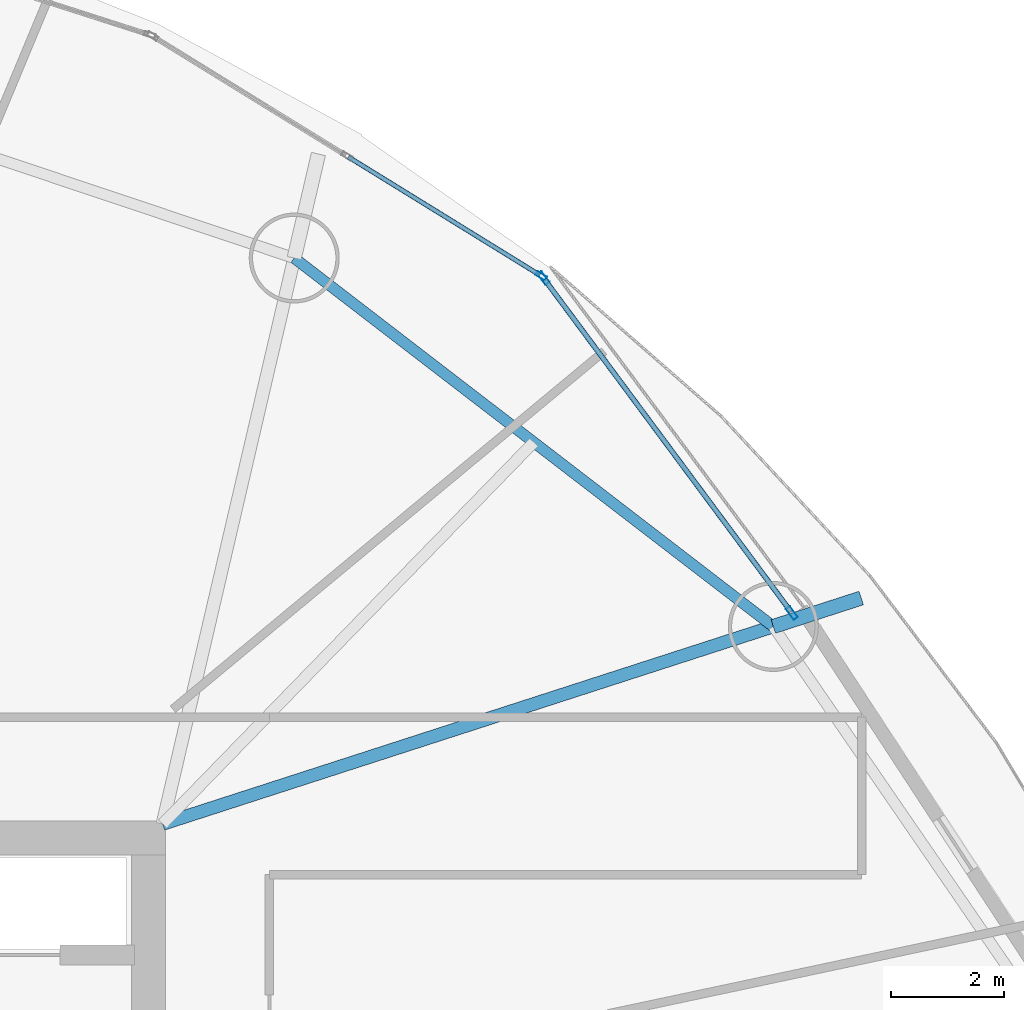
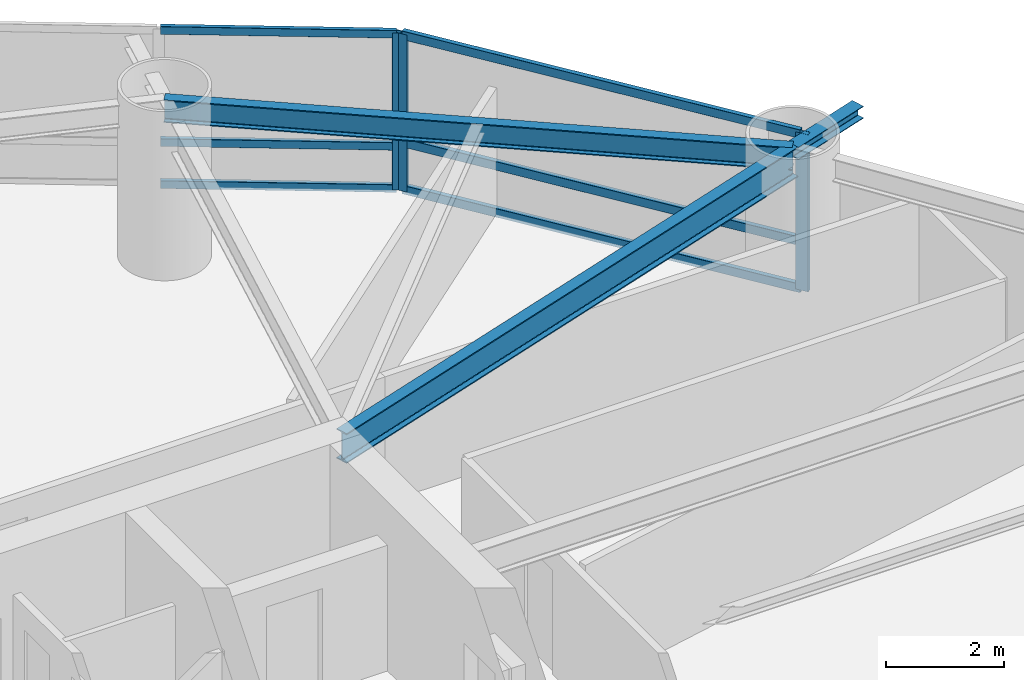
# One storey, part 17 of 26: 9 members, 3 beams, 2 elements without a shape of their own.
"""IFC4 building model written with IfcOpenShell, lengths in metres."""

from ifc_helpers import new_model, si_unit, direction, frame, origin, origin_2d, place, context, subcontext, project, spatial, hollow_rectangle, i_section, extrude, material, layer, layer_set, material_profile, profile_set, type_object, element, aggregate, save


model = new_model("IFC4")

# Units and contexts
model_context = context("Model", 3, precision=1e-05, world=origin(), true_north=direction((0.0, 1.0)))
body_context = subcontext(model_context, "Body", "Model", "MODEL_VIEW")
ifc_project = project(units=[si_unit("LENGTHUNIT", "METRE"), si_unit("AREAUNIT", "SQUARE_METRE"), si_unit("VOLUMEUNIT", "CUBIC_METRE"), si_unit("PLANEANGLEUNIT", "RADIAN"), si_unit("MASSUNIT", "GRAM", prefix="KILO")], contexts=[model_context])

# Site, building, storey
site_placement = place(None, origin())
site = spatial("IfcSite", under=ifc_project, at=site_placement, CompositionType="ELEMENT")
building_placement = place(site_placement, origin())
building = spatial("IfcBuilding", under=site, at=building_placement, Name="Bramvorn Convention Spire", CompositionType="ELEMENT")
storey_placement = place(building_placement, frame((0.0, 0.0, 76.39990234375)))
storey = spatial("IfcBuildingStorey", under=building, at=storey_placement, Name="L17", CompositionType="ELEMENT", Elevation=76.39990234375)

# Beams
ifc_material_1 = material(Name="Steel CSA G40.21 Grade 350 (350W)", Category="steel")
ifc_material_profile_1 = material_profile(ifc_material_1, i_section(OverallWidth=0.25390625, OverallDepth=0.2529296875, WebThickness=0.008544921875, FlangeThickness=0.01416015625, FilletRadius=0.011962890625, at=origin_2d()))
ifc_profile_set_1 = profile_set([ifc_material_profile_1], Name="Steel CSA G40.21 Grade 350 (350W) - W250X73")
beam_type_1 = type_object("IfcBeamType", Name="BM-W250X73", PredefinedType="BEAM", material=ifc_profile_set_1)
beam_1_placement = place(storey_placement, frame((60.105224609375, 36.960205078125, 3.12353515625), z_axis=(0.951498274457, 0.307654081244, 0.0), x_axis=(-0.307654081244, 0.951498274457, 0.0)))
element("IfcBeam", 1, at=beam_1_placement, inside=storey, type_object=beam_type_1, Name="L17 slab-edge cantilever tip beam MC03", PredefinedType="BEAM", context=body_context, shape_type="SweptSolid", body=[
    extrude(i_section(OverallWidth=0.25390625, OverallDepth=0.2529296875, WebThickness=0.008544921875, FlangeThickness=0.01416015625, FilletRadius=0.011962890625, at=origin_2d()), origin(), (0.0, 0.0, 1.0), 1.642578125),
])
ifc_material_profile_2 = material_profile(ifc_material_1, i_section(OverallWidth=0.194091796875, OverallDepth=0.468994140625, WebThickness=0.0126953125, FlangeThickness=0.0205078125, FilletRadius=0.01806640625, at=origin_2d()))
ifc_profile_set_2 = profile_set([ifc_material_profile_2], Name="Steel CSA G40.21 Grade 350 (350W) - W460X106")
beam_type_2 = type_object("IfcBeamType", Name="BM-W460X106", PredefinedType="SPANDREL", material=ifc_profile_set_2)
beam_2_placement = place(storey_placement, frame((60.105224609375, 36.960205078125, 3.015625), z_axis=(-0.792672990445, 0.609647053809, 0.0), x_axis=(-0.609647053809, -0.792672990445, 0.0)))
element("IfcBeam", 2, at=beam_2_placement, inside=storey, type_object=beam_type_2, Name="L17 mega-column ring beam 03", PredefinedType="SPANDREL", context=body_context, shape_type="SweptSolid", body=[
    extrude(i_section(OverallWidth=0.194091796875, OverallDepth=0.468994140625, WebThickness=0.0126953125, FlangeThickness=0.0205078125, FilletRadius=0.01806640625, at=origin_2d()), origin(), (0.0, 0.0, 1.0), 10.741943359375),
])
ifc_material_profile_3 = material_profile(ifc_material_1, i_section(OverallWidth=0.22998046875, OverallDepth=0.616943359375, WebThickness=0.01318359375, FlangeThickness=0.022216796875, FilletRadius=0.02001953125, at=origin_2d()))
ifc_profile_set_3 = profile_set([ifc_material_profile_3], Name="Steel CSA G40.21 Grade 350 (350W) - W610X140")
beam_type_3 = type_object("IfcBeamType", Name="BM-W610X140", PredefinedType="BEAM", material=ifc_profile_set_3)
beam_3_placement = place(storey_placement, frame((49.25, 33.449951171875, 2.941650390625), z_axis=(0.951488933275, 0.307682969719, 0.0), x_axis=(-0.307682969719, 0.951488933275, 0.0)))
element("IfcBeam", 3, at=beam_3_placement, inside=storey, type_object=beam_type_3, Name="L17 radial floor girder MC03", PredefinedType="BEAM", context=body_context, shape_type="SweptSolid", body=[
    extrude(i_section(OverallWidth=0.22998046875, OverallDepth=0.616943359375, WebThickness=0.01318359375, FlangeThickness=0.022216796875, FilletRadius=0.02001953125, at=origin_2d()), origin(), (0.0, 0.0, 1.0), 11.40869140625),
])

# Curtain wall, member
ifc_material_2 = material(Name="Anodised Bronze Unitised Curtain Wall", Category="aluminium")
ifc_layer_1 = layer(ifc_material_2, 0.179931640625)
ifc_layer_set_1 = layer_set([ifc_layer_1], Name="Anodised Bronze Unitised Curtain Wall - CW-HTL-FRIT")
curtain_wall_type_1 = type_object("IfcCurtainWallType", Name="CW-HTL-FRIT", PredefinedType="USERDEFINED", material=ifc_layer_set_1)
curtain_wall_1_placement = place(storey_placement, origin())
curtain_wall_1 = element("IfcCurtainWall", 4, at=curtain_wall_1_placement, inside=storey, type_object=curtain_wall_type_1, Name="L17 fritted glass curtain wall 05", ObjectType="UNITISED CURTAIN WALL", PredefinedType="USERDEFINED")
ifc_material_3 = material(Name="Anodised Bronze Aluminium 6063-T6", Category="aluminium")
ifc_material_profile_4 = material_profile(ifc_material_3, hollow_rectangle(XDim=0.080078125, YDim=0.199951171875, WallThickness=0.00390625, InnerFilletRadius=0.0009765625, OuterFilletRadius=0.00390625, at=origin_2d()))
ifc_profile_set_4 = profile_set([ifc_material_profile_4], Name="Anodised Bronze Aluminium 6063-T6 - CWM80X200")
member_type_1 = type_object("IfcMemberType", Name="CW-MUL-180", PredefinedType="MULLION", material=ifc_profile_set_4)
member_1_placement = place(storey_placement, frame((55.978515625, 43.192138671875, 0.0), z_axis=(0.0, 0.0, 1.0), x_axis=(0.525114493708, 0.851031590775, 0.0)))
member_1 = element("IfcMember", 5, at=member_1_placement, type_object=member_type_1, Name="CW2 mullion 3", PredefinedType="MULLION", context=body_context, shape_type="SweptSolid", body=[
    extrude(hollow_rectangle(XDim=0.080078125, YDim=0.199951171875, WallThickness=0.00390625, InnerFilletRadius=0.0009765625, OuterFilletRadius=0.00390625, at=origin_2d()), origin(), (0.0, 0.0, 1.0), 3.25),
])

# Curtain wall, members
ifc_layer_2 = layer(ifc_material_2, 0.219970703125)
ifc_layer_set_2 = layer_set([ifc_layer_2], Name="Anodised Bronze Unitised Curtain Wall - CW-SKYGARDEN")
curtain_wall_type_2 = type_object("IfcCurtainWallType", Name="CW-SKYGARDEN", PredefinedType="USERDEFINED", material=ifc_layer_set_2)
curtain_wall_2_placement = place(storey_placement, origin())
curtain_wall_2 = element("IfcCurtainWall", 6, at=curtain_wall_2_placement, inside=storey, type_object=curtain_wall_type_2, Name="L17 Sky Garden glazed facade 04", ObjectType="WINTER GARDEN GLAZING", PredefinedType="USERDEFINED")
ifc_material_profile_5 = material_profile(ifc_material_3, hollow_rectangle(XDim=0.090087890625, YDim=0.239990234375, WallThickness=0.00439453125, InnerFilletRadius=0.0009765625, OuterFilletRadius=0.00439453125, at=origin_2d()))
ifc_profile_set_5 = profile_set([ifc_material_profile_5], Name="Anodised Bronze Aluminium 6063-T6 - CWM90X240")
member_type_2 = type_object("IfcMemberType", Name="CW-MUL-220", PredefinedType="MULLION", material=ifc_profile_set_5)
member_2_placement = place(storey_placement, frame((56.02197265625, 43.152099609375, 0.0), z_axis=(0.0, 0.0, 1.0), x_axis=(0.803261641974, 0.595626338012, 0.0)))
member_2 = element("IfcMember", 7, at=member_2_placement, type_object=member_type_2, Name="CW4 mullion 1", PredefinedType="MULLION", context=body_context, shape_type="SweptSolid", body=[
    extrude(hollow_rectangle(XDim=0.090087890625, YDim=0.239990234375, WallThickness=0.00439453125, InnerFilletRadius=0.0009765625, OuterFilletRadius=0.00439453125, at=origin_2d()), origin(), (0.0, 0.0, 1.0), 3.25),
])
member_3_placement = place(storey_placement, frame((60.43603515625, 37.199462890625, 0.0), z_axis=(0.0, 0.0, 1.0), x_axis=(0.803261641974, 0.595626338012, 0.0)))
member_3 = element("IfcMember", 8, at=member_3_placement, type_object=member_type_2, Name="CW4 mullion 2", PredefinedType="MULLION", context=body_context, shape_type="SweptSolid", body=[
    extrude(hollow_rectangle(XDim=0.090087890625, YDim=0.239990234375, WallThickness=0.00439453125, InnerFilletRadius=0.0009765625, OuterFilletRadius=0.00439453125, at=origin_2d()), origin(), (0.0, 0.0, 1.0), 3.25),
])

# Member
ifc_material_profile_6 = material_profile(ifc_material_3, hollow_rectangle(XDim=0.080078125, YDim=0.159912109375, WallThickness=0.00390625, InnerFilletRadius=0.0009765625, OuterFilletRadius=0.00390625, at=origin_2d()))
ifc_profile_set_6 = profile_set([ifc_material_profile_6], Name="Anodised Bronze Aluminium 6063-T6 - CWT80X160")
member_type_3 = type_object("IfcMemberType", Name="CW-TRN-150", PredefinedType="USERDEFINED", material=ifc_profile_set_6)
member_4_placement = place(storey_placement, frame((52.552734375, 45.305908203125, 0.030029296875), z_axis=(0.851015677067, -0.52514028353, 0.0), x_axis=(0.52514028353, 0.851015677067, 0.0)))
member_4 = element("IfcMember", 9, at=member_4_placement, type_object=member_type_3, Name="CW2 transom 2.1", ObjectType="TRANSOM", PredefinedType="USERDEFINED", context=body_context, shape_type="SweptSolid", body=[
    extrude(hollow_rectangle(XDim=0.080078125, YDim=0.159912109375, WallThickness=0.00390625, InnerFilletRadius=0.0009765625, OuterFilletRadius=0.00390625, at=origin_2d()), origin(), (0.0, 0.0, 1.0), 3.995361328125),
])

member_5_placement = place(storey_placement, frame((52.552734375, 45.305908203125, 0.900146484375), z_axis=(0.851015677067, -0.52514028353, 0.0), x_axis=(0.52514028353, 0.851015677067, 0.0)))
member_5 = element("IfcMember", 10, at=member_5_placement, type_object=member_type_3, Name="CW2 transom 2.2", ObjectType="TRANSOM", PredefinedType="USERDEFINED", context=body_context, shape_type="SweptSolid", body=[
    extrude(hollow_rectangle(XDim=0.080078125, YDim=0.159912109375, WallThickness=0.00390625, InnerFilletRadius=0.0009765625, OuterFilletRadius=0.00390625, at=origin_2d()), origin(), (0.0, 0.0, 1.0), 3.995361328125),
])

member_6_placement = place(storey_placement, frame((52.552734375, 45.305908203125, 3.22021484375), z_axis=(0.851015677067, -0.52514028353, 0.0), x_axis=(0.52514028353, 0.851015677067, 0.0)))
member_6 = element("IfcMember", 11, at=member_6_placement, type_object=member_type_3, Name="CW2 transom 2.3", ObjectType="TRANSOM", PredefinedType="USERDEFINED", context=body_context, shape_type="SweptSolid", body=[
    extrude(hollow_rectangle(XDim=0.080078125, YDim=0.159912109375, WallThickness=0.00390625, InnerFilletRadius=0.0009765625, OuterFilletRadius=0.00390625, at=origin_2d()), origin(), (0.0, 0.0, 1.0), 3.995361328125),
])

aggregate(curtain_wall_1, [member_1, member_4, member_5, member_6])

ifc_material_profile_7 = material_profile(ifc_material_3, hollow_rectangle(XDim=0.090087890625, YDim=0.179931640625, WallThickness=0.00439453125, InnerFilletRadius=0.0009765625, OuterFilletRadius=0.00439453125, at=origin_2d()))
ifc_profile_set_7 = profile_set([ifc_material_profile_7], Name="Anodised Bronze Aluminium 6063-T6 - CWT90X180")
member_type_4 = type_object("IfcMemberType", Name="CW-TRN-180", PredefinedType="USERDEFINED", material=ifc_profile_set_7)
member_7_placement = place(storey_placement, frame((56.039794921875, 43.128173828125, 0.030029296875), z_axis=(0.59560159122, -0.803279991371, 0.0), x_axis=(0.803279991371, 0.59560159122, 0.0)))
member_7 = element("IfcMember", 12, at=member_7_placement, type_object=member_type_4, Name="CW4 transom 1.1", ObjectType="TRANSOM", PredefinedType="USERDEFINED", context=body_context, shape_type="SweptSolid", body=[
    extrude(hollow_rectangle(XDim=0.090087890625, YDim=0.179931640625, WallThickness=0.00439453125, InnerFilletRadius=0.0009765625, OuterFilletRadius=0.00439453125, at=origin_2d()), origin(), (0.0, 0.0, 1.0), 7.350830078125),
])

member_8_placement = place(storey_placement, frame((56.039794921875, 43.128173828125, 1.0), z_axis=(0.59560159122, -0.803279991371, 0.0), x_axis=(0.803279991371, 0.59560159122, 0.0)))
member_8 = element("IfcMember", 13, at=member_8_placement, type_object=member_type_4, Name="CW4 transom 1.2", ObjectType="TRANSOM", PredefinedType="USERDEFINED", context=body_context, shape_type="SweptSolid", body=[
    extrude(hollow_rectangle(XDim=0.090087890625, YDim=0.179931640625, WallThickness=0.00439453125, InnerFilletRadius=0.0009765625, OuterFilletRadius=0.00439453125, at=origin_2d()), origin(), (0.0, 0.0, 1.0), 7.350830078125),
])

member_9_placement = place(storey_placement, frame((56.039794921875, 43.128173828125, 3.22021484375), z_axis=(0.59560159122, -0.803279991371, 0.0), x_axis=(0.803279991371, 0.59560159122, 0.0)))
member_9 = element("IfcMember", 14, at=member_9_placement, type_object=member_type_4, Name="CW4 transom 1.3", ObjectType="TRANSOM", PredefinedType="USERDEFINED", context=body_context, shape_type="SweptSolid", body=[
    extrude(hollow_rectangle(XDim=0.090087890625, YDim=0.179931640625, WallThickness=0.00439453125, InnerFilletRadius=0.0009765625, OuterFilletRadius=0.00439453125, at=origin_2d()), origin(), (0.0, 0.0, 1.0), 7.350830078125),
])

aggregate(curtain_wall_2, [member_2, member_3, member_7, member_8, member_9])

save(model, "model.ifc")
